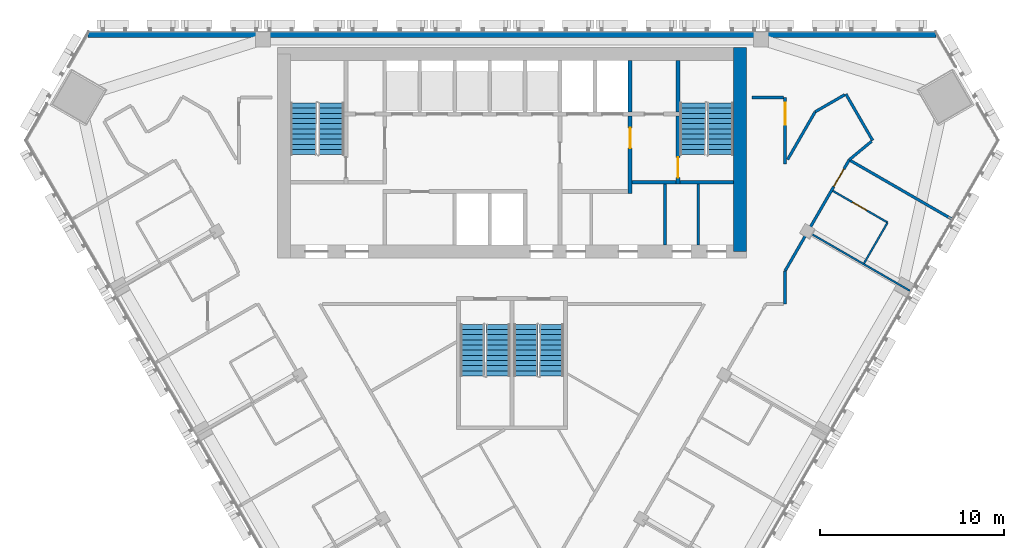
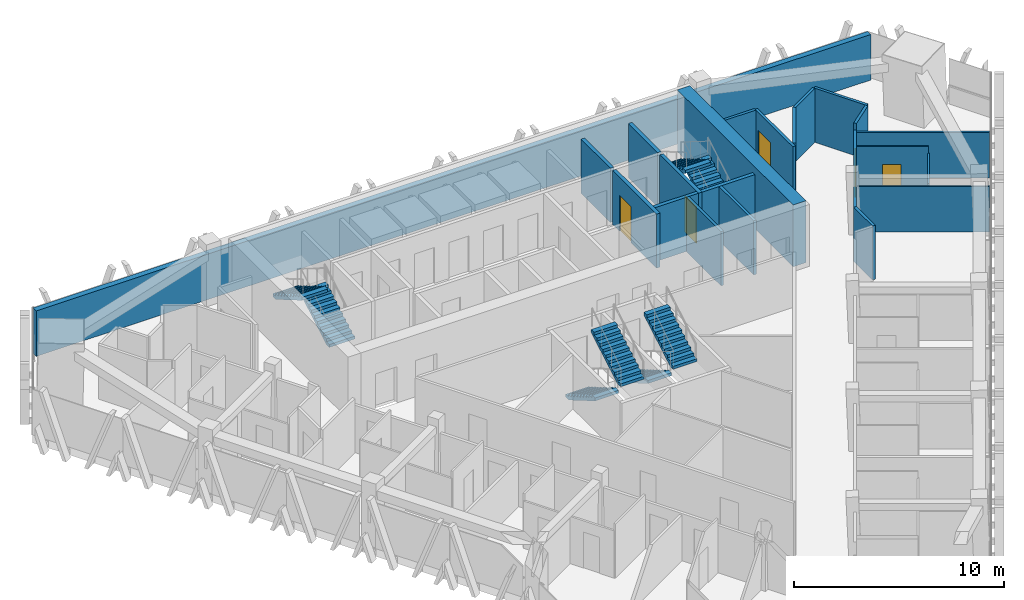
# One storey, part 12 of 16: 22 walls, 8 stair flights, 5 doors, 5 openings, 4 elements without a shape of their own.
"""IFC4 building model written with IfcOpenShell, lengths in metres."""

from ifc_helpers import new_model, si_unit, direction, frame, frame_2d, origin, place, context, subcontext, project, spatial, polyline, rectangle, outline, extrude, material, layer, layer_set, type_object, element, fill, aggregate, save


model = new_model("IFC4")

# Units and contexts
model_context = context("Model", 3, precision=1e-05, world=origin(), true_north=direction((0.0, 1.0)))
body_context = subcontext(model_context, "Body", "Model", "MODEL_VIEW")
ifc_project = project(units=[si_unit("LENGTHUNIT", "METRE"), si_unit("AREAUNIT", "SQUARE_METRE"), si_unit("VOLUMEUNIT", "CUBIC_METRE"), si_unit("PLANEANGLEUNIT", "RADIAN"), si_unit("MASSUNIT", "GRAM", prefix="KILO")], contexts=[model_context])

# Site, building, storey
site_placement = place(None, origin())
site = spatial("IfcSite", under=ifc_project, at=site_placement, CompositionType="ELEMENT")
building_placement = place(site_placement, origin())
building = spatial("IfcBuilding", under=site, at=building_placement, Name="Altiplano Prism Tower", CompositionType="ELEMENT")
storey_placement = place(building_placement, frame((0.0, 0.0, 174.60009765625)))
storey = spatial("IfcBuildingStorey", under=building, at=storey_placement, Name="L45", CompositionType="ELEMENT", Elevation=174.60009765625)

# Wall
ifc_material_1 = material(Name="Concrete C60/75", Category="concrete")
ifc_layer_1 = layer(ifc_material_1, 0.699951171875)
ifc_layer_set_1 = layer_set([ifc_layer_1], Name="Concrete C60/75")
wall_type_1 = type_object("IfcWallType", Name="Core wall 700", PredefinedType="SHEAR", material=ifc_layer_set_1)
wall_1_placement = place(storey_placement, frame((97.35009765625, 93.050048828125, 0.0), z_axis=(0.0, 0.0, 1.0), x_axis=(0.0, 1.0, 0.0)))
element("IfcWall", 1, at=wall_1_placement, inside=storey, type_object=wall_type_1, Name="Core wall E L45", PredefinedType="SHEAR", context=body_context, shape_type="SweptSolid", body=[
    extrude(rectangle(XDim=11.050048828125, YDim=0.699951171875, at=frame_2d((5.52490234375, 0.0))), origin(), (0.0, 0.0, 1.0), 3.599853515625),
])

# Wall, opening, door
ifc_material_2 = material(Name="Plasterboard on steel stud", Category="steel")
ifc_layer_2 = layer(ifc_material_2, 0.10009765625)
ifc_layer_set_2 = layer_set([ifc_layer_2], Name="Plasterboard on steel stud")
wall_type_2 = type_object("IfcWallType", Name="Partition 100 unit", PredefinedType="PARTITIONING", material=ifc_layer_set_2)
wall_2_placement = place(storey_placement, frame((102.392822265625, 96.3359375, 0.0), z_axis=(0.0, 0.0, 1.0), x_axis=(0.866001587311, -0.500041249073, 0.0)))
wall_2 = element("IfcWall", 2, at=wall_2_placement, inside=storey, type_object=wall_type_2, Name="Partition P02 L45 081", PredefinedType="PARTITIONING", context=body_context, shape_type="SweptSolid", body=[
    extrude(rectangle(XDim=3.425048828125, YDim=0.10009765625, at=frame_2d((1.71240234375, 0.0))), origin(), (0.0, 0.0, 1.0), 3.14990234375),
])
opening_1_placement = place(wall_2_placement, frame((1.22509765625, 0.0, 0.0)))
opening_1 = element("IfcOpeningElement", 3, at=opening_1_placement, cuts=wall_2, Name="Opening D1606", PredefinedType="OPENING", context=body_context, shape_type="SweptSolid", body=[
    extrude(rectangle(XDim=0.89990234375, YDim=2.10009765625, at=frame_2d((0.449951171875, 1.050048828125))), frame((0.0, 0.060546875, 0.0), z_axis=(0.0, -1.0, 0.0), x_axis=(1.0, 0.0, 0.0)), (0.0, 0.0, 1.0), 0.12109375),
])
ifc_material_3 = material(Name="Timber", Category="wood")
door_type_1 = type_object("IfcDoorType", Name="Accessible ensuite door 900 x 2100", OperationType="NOTDEFINED", PredefinedType="NOTDEFINED", material=ifc_material_3)
door_1_placement = place(opening_1_placement, origin())
door_1 = element("IfcDoor", 4, at=door_1_placement, inside=storey, type_object=door_type_1, Name="Door D1606", OperationType="SINGLE_SWING_LEFT", OverallHeight=2.10009765625, OverallWidth=0.89990234375, PredefinedType="NOTDEFINED", context=body_context, shape_type="SweptSolid", body=[
    extrude(rectangle(XDim=0.89990234375, YDim=2.10009765625, at=frame_2d((0.449951171875, 1.050048828125))), frame((0.0, 0.02490234375, 0.0), z_axis=(0.0, -1.0, 0.0), x_axis=(1.0, 0.0, 0.0)), (0.0, 0.0, 1.0), 0.050048828125),
])
fill(opening_1, door_1)

# Walls
wall_3_placement = place(storey_placement, frame((105.35888671875, 94.623291015625, 0.0), z_axis=(0.0, 0.0, 1.0), x_axis=(-0.499990435942, -0.866030925526, 0.0)))
element("IfcWall", 5, at=wall_3_placement, inside=storey, type_object=wall_type_2, Name="Partition P02 L45 082", PredefinedType="PARTITIONING", context=body_context, shape_type="SweptSolid", body=[
    extrude(rectangle(XDim=2.5498046875, YDim=0.10009765625, at=frame_2d((1.27490234375, 0.0))), origin(), (0.0, 0.0, 1.0), 2.75),
])
ifc_layer_3 = layer(ifc_material_2, 0.10009765625)
ifc_layer_set_3 = layer_set([ifc_layer_3], Name="Plasterboard on steel stud")
wall_type_3 = type_object("IfcWallType", Name="Partition 100 wet", PredefinedType="PARTITIONING", material=ifc_layer_set_3)
wall_4_placement = place(storey_placement, frame((106.5703125, 90.921630859375, 0.0), z_axis=(0.0, 0.0, 1.0), x_axis=(-0.866015887322, 0.500016482634, 0.0)))
element("IfcWall", 6, at=wall_4_placement, inside=storey, type_object=wall_type_3, Name="Partition P03 L45 080", PredefinedType="PARTITIONING", context=body_context, shape_type="SweptSolid", body=[
    extrude(rectangle(XDim=6.324951171875, YDim=0.10009765625, at=frame_2d((3.16259765625, 0.0))), origin(), (0.0, 0.0, 1.0), 2.64990234375),
])
ifc_layer_4 = layer(ifc_material_2, 0.14990234375)
ifc_layer_set_4 = layer_set([ifc_layer_4], Name="Plasterboard on steel stud")
wall_type_4 = type_object("IfcWallType", Name="Partition 150 corridor", PredefinedType="PARTITIONING", material=ifc_layer_set_4)
wall_5_placement = place(storey_placement, frame((99.800048828125, 90.199951171875, 0.0), z_axis=(0.0, 0.0, 1.0), x_axis=(0.0, 1.0, 0.0)))
element("IfcWall", 7, at=wall_5_placement, inside=storey, type_object=wall_type_4, Name="Partition P06 L45 012", PredefinedType="PARTITIONING", context=body_context, shape_type="SweptSolid", body=[
    extrude(rectangle(XDim=1.795166015625, YDim=0.14990234375, at=frame_2d((0.8974609375, 0.0))), origin(), (0.0, 0.0, 1.0), 3.14990234375),
])

# Wall, opening, door
wall_6_placement = place(storey_placement, frame((99.800048828125, 91.9951171875, 0.0), z_axis=(0.0, 0.0, 1.0), x_axis=(0.500000968981, 0.866024844342, 0.0)))
wall_6 = element("IfcWall", 8, at=wall_6_placement, inside=storey, type_object=wall_type_4, Name="Partition P06 L45 013", PredefinedType="PARTITIONING", context=body_context, shape_type="SweptSolid", body=[
    extrude(rectangle(XDim=6.95556640625, YDim=0.14990234375, at=frame_2d((3.477783203125, 0.0))), origin(), (0.0, 0.0, 1.0), 2.75),
])
opening_2_placement = place(wall_6_placement, frame((5.284912109375, 0.0, 0.0)))
opening_2 = element("IfcOpeningElement", 9, at=opening_2_placement, cuts=wall_6, Name="Opening D1605", PredefinedType="OPENING", context=body_context, shape_type="SweptSolid", body=[
    extrude(rectangle(XDim=1.10009765625, YDim=2.10009765625, at=frame_2d((0.550048828125, 1.050048828125))), frame((0.0, 0.08544921875, 0.0), z_axis=(0.0, -1.0, 0.0), x_axis=(1.0, 0.0, 0.0)), (0.0, 0.0, 1.0), 0.1708984375),
])
door_type_2 = type_object("IfcDoorType", Name="Accessible bedroom door 1100 x 2100", OperationType="NOTDEFINED", PredefinedType="NOTDEFINED", material=ifc_material_3)
door_2_placement = place(opening_2_placement, origin())
door_2 = element("IfcDoor", 10, at=door_2_placement, inside=storey, type_object=door_type_2, Name="Door D1605", OperationType="SINGLE_SWING_LEFT", OverallHeight=2.10009765625, OverallWidth=1.10009765625, PredefinedType="NOTDEFINED", context=body_context, shape_type="SweptSolid", body=[
    extrude(rectangle(XDim=1.10009765625, YDim=2.10009765625, at=frame_2d((0.550048828125, 1.050048828125))), frame((0.0, 0.02490234375, 0.0), z_axis=(0.0, -1.0, 0.0), x_axis=(1.0, 0.0, 0.0)), (0.0, 0.0, 1.0), 0.050048828125),
])
fill(opening_2, door_2)

# Walls
wall_7_placement = place(storey_placement, frame((103.27783203125, 98.018798828125, 0.0), z_axis=(0.0, 0.0, 1.0), x_axis=(0.769514725449, 0.638629068644, 0.0)))
element("IfcWall", 11, at=wall_7_placement, inside=storey, type_object=wall_type_4, Name="Partition P06 L45 014", PredefinedType="PARTITIONING", context=body_context, shape_type="SweptSolid", body=[
    extrude(rectangle(XDim=1.576171875, YDim=0.14990234375, at=frame_2d((0.7880859375, 0.0))), origin(), (0.0, 0.0, 1.0), 3.14990234375),
])
wall_8_placement = place(storey_placement, frame((104.547607421875, 99.07275390625, 0.0), z_axis=(0.0, 0.0, 1.0), x_axis=(-0.499987231761, 0.866032775405, 0.0)))
element("IfcWall", 12, at=wall_8_placement, inside=storey, type_object=wall_type_4, Name="Partition P06 L45 015", PredefinedType="PARTITIONING", context=body_context, shape_type="SweptSolid", body=[
    extrude(rectangle(XDim=2.89990234375, YDim=0.14990234375, at=frame_2d((1.449951171875, 0.0))), origin(), (0.0, 0.0, 1.0), 3.14990234375),
])
wall_9_placement = place(storey_placement, frame((103.03271484375, 101.546630859375, 0.0), z_axis=(0.0, 0.0, 1.0), x_axis=(-0.866079967841, -0.49990548037, 0.0)))
element("IfcWall", 13, at=wall_9_placement, inside=storey, type_object=wall_type_4, Name="Partition P06 L45 016", PredefinedType="PARTITIONING", context=body_context, shape_type="SweptSolid", body=[
    extrude(rectangle(XDim=1.847412109375, YDim=0.14990234375, at=frame_2d((0.923828125, 0.0))), origin(), (0.0, 0.0, 1.0), 3.14990234375),
])
wall_10_placement = place(storey_placement, frame((101.4326171875, 100.623046875, 0.0), z_axis=(0.0, 0.0, 1.0), x_axis=(-0.499991453095, -0.866030338286, 0.0)))
element("IfcWall", 14, at=wall_10_placement, inside=storey, type_object=wall_type_4, Name="Partition P06 L45 017", PredefinedType="PARTITIONING", context=body_context, shape_type="SweptSolid", body=[
    extrude(rectangle(XDim=2.9853515625, YDim=0.14990234375, at=frame_2d((1.49267578125, 0.0))), origin(), (0.0, 0.0, 1.0), 3.14990234375),
])

# Wall, opening, door
wall_11_placement = place(storey_placement, frame((99.800048828125, 97.795166015625, 0.0), z_axis=(0.0, 0.0, 1.0), x_axis=(0.0, 1.0, 0.0)))
wall_11 = element("IfcWall", 15, at=wall_11_placement, inside=storey, type_object=wall_type_4, Name="Partition P06 L45 018", PredefinedType="PARTITIONING", context=body_context, shape_type="SweptSolid", body=[
    extrude(rectangle(XDim=3.604736328125, YDim=0.14990234375, at=frame_2d((1.80224609375, 0.0))), origin(), (0.0, 0.0, 1.0), 3.14990234375),
])
opening_3_placement = place(wall_11_placement, frame((2.125, 0.0, 0.0)))
opening_3 = element("IfcOpeningElement", 16, at=opening_3_placement, cuts=wall_11, Name="Opening D1607", PredefinedType="OPENING", context=body_context, shape_type="SweptSolid", body=[
    extrude(rectangle(XDim=1.199951171875, YDim=2.10009765625, at=frame_2d((0.60009765625, 1.050048828125))), frame((0.0, 0.08544921875, 0.0), z_axis=(0.0, -1.0, 0.0), x_axis=(1.0, 0.0, 0.0)), (0.0, 0.0, 1.0), 0.1708984375),
])
door_type_3 = type_object("IfcDoorType", Name="Shared room door 1200 x 2100", OperationType="NOTDEFINED", PredefinedType="NOTDEFINED", material=ifc_material_3)
door_3_placement = place(opening_3_placement, origin())
door_3 = element("IfcDoor", 17, at=door_3_placement, inside=storey, type_object=door_type_3, Name="Door D1607", OperationType="SINGLE_SWING_LEFT", OverallHeight=2.10009765625, OverallWidth=1.199951171875, PredefinedType="NOTDEFINED", context=body_context, shape_type="SweptSolid", body=[
    extrude(rectangle(XDim=1.199951171875, YDim=2.10009765625, at=frame_2d((0.60009765625, 1.050048828125))), frame((0.0, 0.02490234375, 0.0), z_axis=(0.0, -1.0, 0.0), x_axis=(1.0, 0.0, 0.0)), (0.0, 0.0, 1.0), 0.050048828125),
])
fill(opening_3, door_3)

# Walls
wall_12_placement = place(storey_placement, frame((99.72509765625, 101.39990234375, 0.0), z_axis=(0.0, 0.0, 1.0), x_axis=(-1.0, 0.0, 0.0)))
element("IfcWall", 18, at=wall_12_placement, inside=storey, type_object=wall_type_4, Name="Partition P06 L45 019", PredefinedType="PARTITIONING", context=body_context, shape_type="SweptSolid", body=[
    extrude(rectangle(XDim=1.72509765625, YDim=0.14990234375, at=frame_2d((0.862548828125, 0.0))), origin(), (0.0, 0.0, 1.0), 3.14990234375),
])
ifc_layer_5 = layer(ifc_material_2, 0.14990234375)
ifc_layer_set_5 = layer_set([ifc_layer_5], Name="Plasterboard on steel stud")
wall_type_5 = type_object("IfcWallType", Name="Partition 150 party", PredefinedType="PARTITIONING", material=ifc_layer_set_5)
wall_13_placement = place(storey_placement, frame((108.837890625, 94.808837890625, 0.0), z_axis=(0.0, 0.0, 1.0), x_axis=(-0.866025401434, 0.500000004071, 0.0)))
element("IfcWall", 19, at=wall_13_placement, inside=storey, type_object=wall_type_5, Name="Partition P01 L45 083", PredefinedType="PARTITIONING", context=body_context, shape_type="SweptSolid", body=[
    extrude(rectangle(XDim=6.34521484375, YDim=0.14990234375, at=frame_2d((3.172607421875, 0.0))), origin(), (0.0, 0.0, 1.0), 2.64990234375),
])
ifc_material_4 = material(Name="Fire-rated gypsum board partition")
ifc_layer_6 = layer(ifc_material_4, 0.14990234375)
ifc_layer_set_6 = layer_set([ifc_layer_6], Name="Fire-rated gypsum board partition")
wall_type_6 = type_object("IfcWallType", Name="Room partition 150", PredefinedType="PARTITIONING", material=ifc_layer_set_6)
for number, where, z_axis, x_axis, name in (
    (20, (93.300048828125, 93.39990234375, 0.0), (0.0, 0.0, 1.0), (0.0, 1.0, 0.0), "Room partition L45"),
    (21, (95.10009765625, 93.39990234375, 0.0), (0.0, 0.0, 1.0), (0.0, 1.0, 0.0), "Room partition L45"),
):
    element("IfcWall", number, at=place(storey_placement, frame(where, z_axis=z_axis, x_axis=x_axis)), inside=storey, type_object=wall_type_6, Name=name, PredefinedType="PARTITIONING", context=body_context, shape_type="SweptSolid", body=[
        extrude(rectangle(XDim=3.300048828125, YDim=0.14990234375, at=frame_2d((1.64990234375, 0.0))), origin(), (0.0, 0.0, 1.0), 3.14990234375),
    ])
ifc_layer_7 = layer(ifc_material_1, 0.199951171875)
ifc_layer_set_7 = layer_set([ifc_layer_7], Name="Concrete C60/75")
wall_type_7 = type_object("IfcWallType", Name="Shaft wall 200", PredefinedType="SOLIDWALL", material=ifc_layer_set_7)
wall_14_placement = place(storey_placement, frame((91.39990234375, 100.60009765625, 0.0), z_axis=(0.0, 0.0, 1.0), x_axis=(0.0, 1.0, 0.0)))
element("IfcWall", 22, at=wall_14_placement, inside=storey, type_object=wall_type_7, Name="Shaft wall L45", PredefinedType="SOLIDWALL", context=body_context, shape_type="SweptSolid", body=[
    extrude(rectangle(XDim=2.7998046875, YDim=0.199951171875, at=frame_2d((1.39990234375, 0.0))), origin(), (0.0, 0.0, 1.0), 3.14990234375),
])

# Wall, opening, door
ifc_layer_8 = layer(ifc_material_1, 0.199951171875)
ifc_layer_set_8 = layer_set([ifc_layer_8], Name="Concrete C60/75")
wall_type_8 = type_object("IfcWallType", Name="Stair wall 200", PredefinedType="SOLIDWALL", material=ifc_layer_set_8)
wall_15_placement = place(storey_placement, frame((94.0, 96.699951171875, 0.0), z_axis=(0.0, 0.0, 1.0), x_axis=(0.0, 1.0, 0.0)))
wall_15 = element("IfcWall", 23, at=wall_15_placement, inside=storey, type_object=wall_type_8, Name="Stair wall L45", PredefinedType="SOLIDWALL", context=body_context, shape_type="SweptSolid", body=[
    extrude(rectangle(XDim=3.699951171875, YDim=0.199951171875, at=frame_2d((1.85009765625, 0.0))), origin(), (0.0, 0.0, 1.0), 3.14990234375),
])
opening_4_placement = place(wall_15_placement, frame((0.35009765625, 0.0, 0.0)))
opening_4 = element("IfcOpeningElement", 24, at=opening_4_placement, cuts=wall_15, Name="Opening D3197", PredefinedType="OPENING", context=body_context, shape_type="SweptSolid", body=[
    extrude(rectangle(XDim=1.10009765625, YDim=2.10009765625, at=frame_2d((0.550048828125, 1.050048828125))), frame((0.0, 0.1103515625, 0.0), z_axis=(0.0, -1.0, 0.0), x_axis=(1.0, 0.0, 0.0)), (0.0, 0.0, 1.0), 0.220947265625),
])
ifc_material_5 = material(Name="Fire-rated steel door", Category="steel")
door_type_4 = type_object("IfcDoorType", Name="Stair fire door 1100 x 2100", OperationType="NOTDEFINED", PredefinedType="NOTDEFINED", material=ifc_material_5)
door_4_placement = place(opening_4_placement, origin())
door_4 = element("IfcDoor", 25, at=door_4_placement, inside=storey, type_object=door_type_4, Name="Stair fire door D3197", OperationType="SINGLE_SWING_LEFT", OverallHeight=2.10009765625, OverallWidth=1.10009765625, PredefinedType="NOTDEFINED", context=body_context, shape_type="SweptSolid", body=[
    extrude(rectangle(XDim=1.10009765625, YDim=2.10009765625, at=frame_2d((0.550048828125, 1.050048828125))), frame((0.0, 0.02490234375, 0.0), z_axis=(0.0, -1.0, 0.0), x_axis=(1.0, 0.0, 0.0)), (0.0, 0.0, 1.0), 0.050048828125),
])
fill(opening_4, door_4)

# Walls
wall_16_placement = place(storey_placement, frame((94.10009765625, 96.800048828125, 0.0), z_axis=(0.0, 0.0, 1.0), x_axis=(1.0, 0.0, 0.0)))
element("IfcWall", 26, at=wall_16_placement, inside=storey, type_object=wall_type_8, Name="Stair wall L45", PredefinedType="SOLIDWALL", context=body_context, shape_type="SweptSolid", body=[
    extrude(rectangle(XDim=2.89990234375, YDim=0.199951171875, at=frame_2d((1.449951171875, 0.0))), origin(), (0.0, 0.0, 1.0), 3.14990234375),
])
wall_17_placement = place(storey_placement, frame((94.0, 100.60009765625, 0.0), z_axis=(0.0, 0.0, 1.0), x_axis=(0.0, 1.0, 0.0)))
element("IfcWall", 27, at=wall_17_placement, inside=storey, type_object=wall_type_8, Name="Stair wall L45", PredefinedType="SOLIDWALL", context=body_context, shape_type="SweptSolid", body=[
    extrude(rectangle(XDim=2.7998046875, YDim=0.199951171875, at=frame_2d((1.39990234375, 0.0))), origin(), (0.0, 0.0, 1.0), 3.14990234375),
])
ifc_material_6 = material(Name="Concrete C40", Category="concrete")
ifc_layer_9 = layer(ifc_material_6, 0.300048828125)
ifc_layer_set_9 = layer_set([ifc_layer_9], Name="Concrete C40")
wall_type_9 = type_object("IfcWallType", Name="Stone-clad external wall 300", PredefinedType="SOLIDWALL", material=ifc_layer_set_9)
wall_18_placement = place(storey_placement, frame((62.0302734375, 104.7900390625, 0.0), z_axis=(0.0, 0.0, 1.0), x_axis=(1.0, 0.0, 0.0)))
element("IfcWall", 28, at=wall_18_placement, inside=storey, type_object=wall_type_9, Name="External wall north face L45", PredefinedType="SOLIDWALL", context=body_context, shape_type="SweptSolid", body=[
    extrude(rectangle(XDim=45.939453125, YDim=0.300048828125, at=frame_2d((22.9697265625, 0.0))), origin(), (0.0, 0.0, 1.0), 2.64990234375),
])

# Wall, opening, door
ifc_layer_10 = layer(ifc_material_1, 0.199951171875)
ifc_layer_set_10 = layer_set([ifc_layer_10], Name="Concrete C60/75")
wall_type_10 = type_object("IfcWallType", Name="Vestibule wall 200", PredefinedType="PARTITIONING", material=ifc_layer_set_10)
wall_19_placement = place(storey_placement, frame((91.39990234375, 96.199951171875, 0.0), z_axis=(0.0, 0.0, 1.0), x_axis=(0.0, 1.0, 0.0)))
wall_19 = element("IfcWall", 29, at=wall_19_placement, inside=storey, type_object=wall_type_10, Name="Vestibule wall L45", PredefinedType="PARTITIONING", context=body_context, shape_type="SweptSolid", body=[
    extrude(rectangle(XDim=4.199951171875, YDim=0.199951171875, at=frame_2d((2.10009765625, 0.0))), origin(), (0.0, 0.0, 1.0), 3.14990234375),
])
opening_5_placement = place(wall_19_placement, frame((2.449951171875, 0.0, 0.0)))
opening_5 = element("IfcOpeningElement", 30, at=opening_5_placement, cuts=wall_19, Name="Opening D3200", PredefinedType="OPENING", context=body_context, shape_type="SweptSolid", body=[
    extrude(rectangle(XDim=1.10009765625, YDim=2.10009765625, at=frame_2d((0.550048828125, 1.050048828125))), frame((0.0, 0.1103515625, 0.0), z_axis=(0.0, -1.0, 0.0), x_axis=(1.0, 0.0, 0.0)), (0.0, 0.0, 1.0), 0.220947265625),
])
door_type_5 = type_object("IfcDoorType", Name="Vestibule fire door 1100 x 2100", OperationType="NOTDEFINED", PredefinedType="NOTDEFINED", material=ifc_material_5)
door_5_placement = place(opening_5_placement, origin())
door_5 = element("IfcDoor", 31, at=door_5_placement, inside=storey, type_object=door_type_5, Name="Vestibule fire door D3200", OperationType="SINGLE_SWING_LEFT", OverallHeight=2.10009765625, OverallWidth=1.10009765625, PredefinedType="NOTDEFINED", context=body_context, shape_type="SweptSolid", body=[
    extrude(rectangle(XDim=1.10009765625, YDim=2.10009765625, at=frame_2d((0.550048828125, 1.050048828125))), frame((0.0, 0.02490234375, 0.0), z_axis=(0.0, -1.0, 0.0), x_axis=(1.0, 0.0, 0.0)), (0.0, 0.0, 1.0), 0.050048828125),
])
fill(opening_5, door_5)

# Wall
wall_20_placement = place(storey_placement, frame((91.5, 96.800048828125, 0.0), z_axis=(0.0, 0.0, 1.0), x_axis=(1.0, 0.0, 0.0)))
element("IfcWall", 32, at=wall_20_placement, inside=storey, type_object=wall_type_10, Name="Vestibule wall L45", PredefinedType="PARTITIONING", context=body_context, shape_type="SweptSolid", body=[
    extrude(rectangle(XDim=2.39990234375, YDim=0.199951171875, at=frame_2d((1.199951171875, 0.0))), origin(), (0.0, 0.0, 1.0), 3.14990234375),
])

# Stair, stair flights
ifc_material_7 = material(Name="Concrete C40/50", Category="concrete")
stair_type_1 = type_object("IfcStairType", Name="Exit stair 1400", PredefinedType="HALF_TURN_STAIR", material=ifc_material_7)
stair_1_placement = place(storey_placement, origin())
stair_1 = element("IfcStair", 33, at=stair_1_placement, inside=storey, type_object=stair_type_1, Name="L45 Exit Stair 1", PredefinedType="HALF_TURN_STAIR")
stair_flight_type = type_object("IfcStairFlightType", Name="Stair flight concrete 150", PredefinedType="STRAIGHT", material=ifc_material_7)
stair_flight_1_placement = place(storey_placement, frame((75.199951171875, 98.300048828125, 0.0), z_axis=(0.0, 0.0, 1.0), x_axis=(0.0, 1.0, 0.0)))
stair_flight_1 = element("IfcStairFlight", 34, at=stair_flight_1_placement, type_object=stair_flight_type, Name="ST1 flight 1", NumberOfRisers=11, NumberOfTreads=10, PredefinedType="STRAIGHT", RiserHeight=0.163636364, TreadLength=0.28, context=body_context, shape_type="SweptSolid", body=[
    extrude(outline(polyline([(0.0, 0.0), (0.0, 0.16357421875), (0.280029296875, 0.16357421875), (0.280029296875, 0.327392578125), (0.56005859375, 0.327392578125), (0.56005859375, 0.490966796875), (0.840087890625, 0.490966796875), (0.840087890625, 0.654541015625), (1.1201171875, 0.654541015625), (1.1201171875, 0.818115234375), (1.39990234375, 0.818115234375), (1.39990234375, 0.98193359375), (1.679931640625, 0.98193359375), (1.679931640625, 1.1455078125), (1.9599609375, 1.1455078125), (1.9599609375, 1.30908203125), (2.239990234375, 1.30908203125), (2.239990234375, 1.47265625), (2.52001953125, 1.47265625), (2.52001953125, 1.636474609375), (2.800048828125, 1.636474609375), (2.800048828125, 1.800048828125), (2.800048828125, 1.462646484375), (0.297119140625, 0.0), (0.0, 0.0)])), frame((0.0, 0.699951171875, 0.0), z_axis=(0.0, -1.0, 0.0), x_axis=(1.0, 0.0, 0.0)), (0.0, 0.0, 1.0), 1.39990234375),
])
stair_flight_2_placement = place(storey_placement, frame((73.699951171875, 101.10009765625, 1.7998046875), z_axis=(0.0, 0.0, 1.0), x_axis=(0.0, -1.0, 0.0)))
stair_flight_2 = element("IfcStairFlight", 35, at=stair_flight_2_placement, type_object=stair_flight_type, Name="ST1 flight 2", NumberOfRisers=11, NumberOfTreads=10, PredefinedType="STRAIGHT", RiserHeight=0.163636364, TreadLength=0.28, context=body_context, shape_type="SweptSolid", body=[
    extrude(outline(polyline([(0.0, 0.0), (0.0, 0.16357421875), (0.280029296875, 0.16357421875), (0.280029296875, 0.327392578125), (0.56005859375, 0.327392578125), (0.56005859375, 0.490966796875), (0.840087890625, 0.490966796875), (0.840087890625, 0.654541015625), (1.1201171875, 0.654541015625), (1.1201171875, 0.818115234375), (1.39990234375, 0.818115234375), (1.39990234375, 0.98193359375), (1.679931640625, 0.98193359375), (1.679931640625, 1.1455078125), (1.9599609375, 1.1455078125), (1.9599609375, 1.30908203125), (2.239990234375, 1.30908203125), (2.239990234375, 1.47265625), (2.52001953125, 1.47265625), (2.52001953125, 1.636474609375), (2.800048828125, 1.636474609375), (2.800048828125, 1.800048828125), (2.800048828125, 1.462646484375), (0.297119140625, 0.0), (0.0, 0.0)])), frame((0.0, 0.699951171875, 0.0), z_axis=(0.0, -1.0, 0.0), x_axis=(1.0, 0.0, 0.0)), (0.0, 0.0, 1.0), 1.39990234375),
])
aggregate(stair_1, [stair_flight_1, stair_flight_2])

stair_2_placement = place(storey_placement, origin())
stair_2 = element("IfcStair", 36, at=stair_2_placement, inside=storey, type_object=stair_type_1, Name="L45 Exit Stair 2", PredefinedType="HALF_TURN_STAIR")
stair_flight_3_placement = place(storey_placement, frame((96.300048828125, 98.300048828125, 0.0), z_axis=(0.0, 0.0, 1.0), x_axis=(0.0, 1.0, 0.0)))
stair_flight_3 = element("IfcStairFlight", 37, at=stair_flight_3_placement, type_object=stair_flight_type, Name="ST2 flight 1", NumberOfRisers=11, NumberOfTreads=10, PredefinedType="STRAIGHT", RiserHeight=0.163636364, TreadLength=0.28, context=body_context, shape_type="SweptSolid", body=[
    extrude(outline(polyline([(0.0, 0.0), (0.0, 0.16357421875), (0.280029296875, 0.16357421875), (0.280029296875, 0.327392578125), (0.56005859375, 0.327392578125), (0.56005859375, 0.490966796875), (0.840087890625, 0.490966796875), (0.840087890625, 0.654541015625), (1.1201171875, 0.654541015625), (1.1201171875, 0.818115234375), (1.39990234375, 0.818115234375), (1.39990234375, 0.98193359375), (1.679931640625, 0.98193359375), (1.679931640625, 1.1455078125), (1.9599609375, 1.1455078125), (1.9599609375, 1.30908203125), (2.239990234375, 1.30908203125), (2.239990234375, 1.47265625), (2.52001953125, 1.47265625), (2.52001953125, 1.636474609375), (2.800048828125, 1.636474609375), (2.800048828125, 1.800048828125), (2.800048828125, 1.462646484375), (0.297119140625, 0.0), (0.0, 0.0)])), frame((0.0, 0.699951171875, 0.0), z_axis=(0.0, -1.0, 0.0), x_axis=(1.0, 0.0, 0.0)), (0.0, 0.0, 1.0), 1.39990234375),
])
stair_flight_4_placement = place(storey_placement, frame((94.800048828125, 101.10009765625, 1.7998046875), z_axis=(0.0, 0.0, 1.0), x_axis=(0.0, -1.0, 0.0)))
stair_flight_4 = element("IfcStairFlight", 38, at=stair_flight_4_placement, type_object=stair_flight_type, Name="ST2 flight 2", NumberOfRisers=11, NumberOfTreads=10, PredefinedType="STRAIGHT", RiserHeight=0.163636364, TreadLength=0.28, context=body_context, shape_type="SweptSolid", body=[
    extrude(outline(polyline([(0.0, 0.0), (0.0, 0.16357421875), (0.280029296875, 0.16357421875), (0.280029296875, 0.327392578125), (0.56005859375, 0.327392578125), (0.56005859375, 0.490966796875), (0.840087890625, 0.490966796875), (0.840087890625, 0.654541015625), (1.1201171875, 0.654541015625), (1.1201171875, 0.818115234375), (1.39990234375, 0.818115234375), (1.39990234375, 0.98193359375), (1.679931640625, 0.98193359375), (1.679931640625, 1.1455078125), (1.9599609375, 1.1455078125), (1.9599609375, 1.30908203125), (2.239990234375, 1.30908203125), (2.239990234375, 1.47265625), (2.52001953125, 1.47265625), (2.52001953125, 1.636474609375), (2.800048828125, 1.636474609375), (2.800048828125, 1.800048828125), (2.800048828125, 1.462646484375), (0.297119140625, 0.0), (0.0, 0.0)])), frame((0.0, 0.699951171875, 0.0), z_axis=(0.0, -1.0, 0.0), x_axis=(1.0, 0.0, 0.0)), (0.0, 0.0, 1.0), 1.39990234375),
])
aggregate(stair_2, [stair_flight_3, stair_flight_4])

stair_type_2 = type_object("IfcStairType", Name="Exit stair 1300", PredefinedType="HALF_TURN_STAIR", material=ifc_material_7)
stair_3_placement = place(storey_placement, origin())
stair_3 = element("IfcStair", 39, at=stair_3_placement, inside=storey, type_object=stair_type_2, Name="L45 Exit Stair 3A", PredefinedType="HALF_TURN_STAIR")
stair_flight_5_placement = place(storey_placement, frame((82.85009765625, 89.10009765625, 0.0), z_axis=(0.0, 0.0, 1.0), x_axis=(0.0, -1.0, 0.0)))
stair_flight_5 = element("IfcStairFlight", 40, at=stair_flight_5_placement, type_object=stair_flight_type, Name="ST3A flight 1", NumberOfRisers=11, NumberOfTreads=10, PredefinedType="STRAIGHT", RiserHeight=0.163636364, TreadLength=0.28, context=body_context, shape_type="SweptSolid", body=[
    extrude(outline(polyline([(0.0, 0.0), (0.0, 0.16357421875), (0.280029296875, 0.16357421875), (0.280029296875, 0.327392578125), (0.56005859375, 0.327392578125), (0.56005859375, 0.490966796875), (0.840087890625, 0.490966796875), (0.840087890625, 0.654541015625), (1.1201171875, 0.654541015625), (1.1201171875, 0.818115234375), (1.39990234375, 0.818115234375), (1.39990234375, 0.98193359375), (1.679931640625, 0.98193359375), (1.679931640625, 1.1455078125), (1.9599609375, 1.1455078125), (1.9599609375, 1.30908203125), (2.239990234375, 1.30908203125), (2.239990234375, 1.47265625), (2.52001953125, 1.47265625), (2.52001953125, 1.636474609375), (2.800048828125, 1.636474609375), (2.800048828125, 1.800048828125), (2.800048828125, 1.462646484375), (0.297119140625, 0.0), (0.0, 0.0)])), frame((0.0, 0.64990234375, 0.0), z_axis=(0.0, -1.0, 0.0), x_axis=(1.0, 0.0, 0.0)), (0.0, 0.0, 1.0), 1.300048828125),
])
stair_flight_6_placement = place(storey_placement, frame((84.25, 86.300048828125, 1.7998046875), z_axis=(0.0, 0.0, 1.0), x_axis=(0.0, 1.0, 0.0)))
stair_flight_6 = element("IfcStairFlight", 41, at=stair_flight_6_placement, type_object=stair_flight_type, Name="ST3A flight 2", NumberOfRisers=11, NumberOfTreads=10, PredefinedType="STRAIGHT", RiserHeight=0.163636364, TreadLength=0.28, context=body_context, shape_type="SweptSolid", body=[
    extrude(outline(polyline([(0.0, 0.0), (0.0, 0.16357421875), (0.280029296875, 0.16357421875), (0.280029296875, 0.327392578125), (0.56005859375, 0.327392578125), (0.56005859375, 0.490966796875), (0.840087890625, 0.490966796875), (0.840087890625, 0.654541015625), (1.1201171875, 0.654541015625), (1.1201171875, 0.818115234375), (1.39990234375, 0.818115234375), (1.39990234375, 0.98193359375), (1.679931640625, 0.98193359375), (1.679931640625, 1.1455078125), (1.9599609375, 1.1455078125), (1.9599609375, 1.30908203125), (2.239990234375, 1.30908203125), (2.239990234375, 1.47265625), (2.52001953125, 1.47265625), (2.52001953125, 1.636474609375), (2.800048828125, 1.636474609375), (2.800048828125, 1.800048828125), (2.800048828125, 1.462646484375), (0.297119140625, 0.0), (0.0, 0.0)])), frame((0.0, 0.64990234375, 0.0), z_axis=(0.0, -1.0, 0.0), x_axis=(1.0, 0.0, 0.0)), (0.0, 0.0, 1.0), 1.300048828125),
])
aggregate(stair_3, [stair_flight_5, stair_flight_6])

stair_4_placement = place(storey_placement, origin())
stair_4 = element("IfcStair", 42, at=stair_4_placement, inside=storey, type_object=stair_type_2, Name="L45 Exit Stair 3B", PredefinedType="HALF_TURN_STAIR")
stair_flight_7_placement = place(storey_placement, frame((85.75, 89.10009765625, 0.0), z_axis=(0.0, 0.0, 1.0), x_axis=(0.0, -1.0, 0.0)))
stair_flight_7 = element("IfcStairFlight", 43, at=stair_flight_7_placement, type_object=stair_flight_type, Name="ST3B flight 1", NumberOfRisers=11, NumberOfTreads=10, PredefinedType="STRAIGHT", RiserHeight=0.163636364, TreadLength=0.28, context=body_context, shape_type="SweptSolid", body=[
    extrude(outline(polyline([(0.0, 0.0), (0.0, 0.16357421875), (0.280029296875, 0.16357421875), (0.280029296875, 0.327392578125), (0.56005859375, 0.327392578125), (0.56005859375, 0.490966796875), (0.840087890625, 0.490966796875), (0.840087890625, 0.654541015625), (1.1201171875, 0.654541015625), (1.1201171875, 0.818115234375), (1.39990234375, 0.818115234375), (1.39990234375, 0.98193359375), (1.679931640625, 0.98193359375), (1.679931640625, 1.1455078125), (1.9599609375, 1.1455078125), (1.9599609375, 1.30908203125), (2.239990234375, 1.30908203125), (2.239990234375, 1.47265625), (2.52001953125, 1.47265625), (2.52001953125, 1.636474609375), (2.800048828125, 1.636474609375), (2.800048828125, 1.800048828125), (2.800048828125, 1.462646484375), (0.297119140625, 0.0), (0.0, 0.0)])), frame((0.0, 0.64990234375, 0.0), z_axis=(0.0, -1.0, 0.0), x_axis=(1.0, 0.0, 0.0)), (0.0, 0.0, 1.0), 1.300048828125),
])
stair_flight_8_placement = place(storey_placement, frame((87.14990234375, 86.300048828125, 1.7998046875), z_axis=(0.0, 0.0, 1.0), x_axis=(0.0, 1.0, 0.0)))
stair_flight_8 = element("IfcStairFlight", 44, at=stair_flight_8_placement, type_object=stair_flight_type, Name="ST3B flight 2", NumberOfRisers=11, NumberOfTreads=10, PredefinedType="STRAIGHT", RiserHeight=0.163636364, TreadLength=0.28, context=body_context, shape_type="SweptSolid", body=[
    extrude(outline(polyline([(0.0, 0.0), (0.0, 0.16357421875), (0.280029296875, 0.16357421875), (0.280029296875, 0.327392578125), (0.56005859375, 0.327392578125), (0.56005859375, 0.490966796875), (0.840087890625, 0.490966796875), (0.840087890625, 0.654541015625), (1.1201171875, 0.654541015625), (1.1201171875, 0.818115234375), (1.39990234375, 0.818115234375), (1.39990234375, 0.98193359375), (1.679931640625, 0.98193359375), (1.679931640625, 1.1455078125), (1.9599609375, 1.1455078125), (1.9599609375, 1.30908203125), (2.239990234375, 1.30908203125), (2.239990234375, 1.47265625), (2.52001953125, 1.47265625), (2.52001953125, 1.636474609375), (2.800048828125, 1.636474609375), (2.800048828125, 1.800048828125), (2.800048828125, 1.462646484375), (0.297119140625, 0.0), (0.0, 0.0)])), frame((0.0, 0.64990234375, 0.0), z_axis=(0.0, -1.0, 0.0), x_axis=(1.0, 0.0, 0.0)), (0.0, 0.0, 1.0), 1.300048828125),
])
aggregate(stair_4, [stair_flight_7, stair_flight_8])

save(model, "model.ifc")
